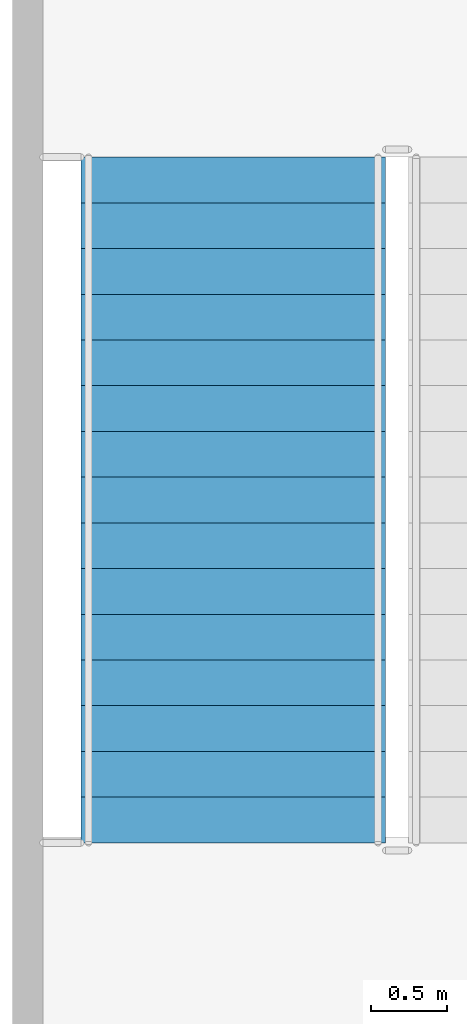
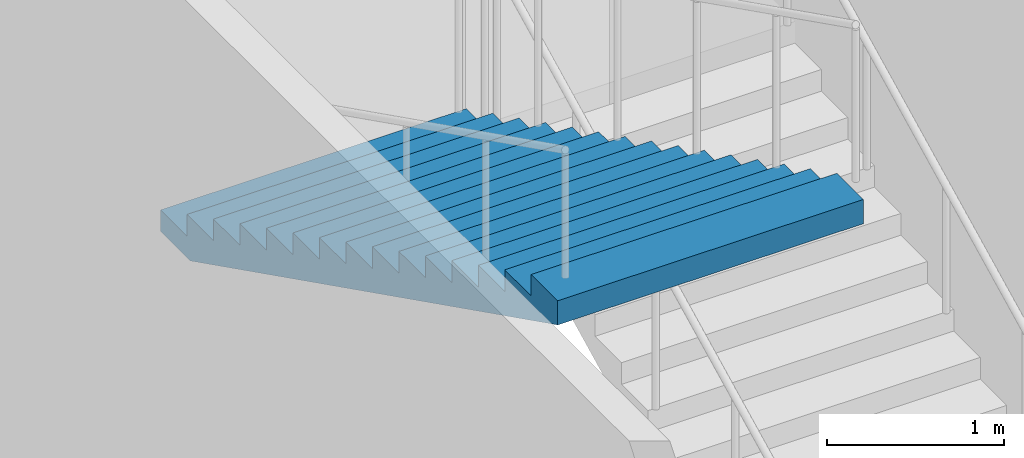
# One storey, part 76 of 100: 1 stair flight, 1 element without a shape of its own.
"""IFC4 building model written with IfcOpenShell, lengths in metres."""

from ifc_helpers import new_model, si_unit, direction, frame, origin, place, context, subcontext, project, spatial, faceted_brep, material, type_object, element, aggregate, save


model = new_model("IFC4")

# Units and contexts
model_context = context("Model", 3, precision=1e-05, world=origin(), true_north=direction((0.0, 1.0)))
body_context = subcontext(model_context, "Body", "Model", "MODEL_VIEW")
ifc_project = project(units=[si_unit("LENGTHUNIT", "METRE"), si_unit("AREAUNIT", "SQUARE_METRE"), si_unit("VOLUMEUNIT", "CUBIC_METRE"), si_unit("PLANEANGLEUNIT", "RADIAN"), si_unit("MASSUNIT", "GRAM", prefix="KILO")], contexts=[model_context])

# Site, building, storey
site_placement = place(None, origin())
site = spatial("IfcSite", under=ifc_project, at=site_placement, CompositionType="ELEMENT")
building_placement = place(site_placement, origin())
building = spatial("IfcBuilding", under=site, at=building_placement, Name="Kiln Court Media Centre", CompositionType="ELEMENT")
storey_placement = place(building_placement, frame((0.0, 0.0, 15.0)))
storey = spatial("IfcBuildingStorey", under=building, at=storey_placement, Name="L03", CompositionType="ELEMENT", Elevation=15.0)

# Stair, stair flight
ifc_material_1 = material(Name="Concrete C40/50", Category="concrete")
stair_type = type_object("IfcStairType", Name="Concrete C40/50 dog-leg stair 2000 wide, 150 riser", PredefinedType="HALF_TURN_STAIR", material=ifc_material_1)
stair_placement = place(storey_placement, origin())
stair = element("IfcStair", 1, at=stair_placement, inside=storey, type_object=stair_type, Name="ST-06 L03", PredefinedType="HALF_TURN_STAIR")
ifc_material_2 = material(Name="Concrete C40/50", Category="concrete")
stair_flight_type = type_object("IfcStairFlightType", Name="Concrete C40/50 stair flight 2000 wide, 150 riser, 300 going", PredefinedType="STRAIGHT", material=ifc_material_2)
stair_flight_placement = place(storey_placement, frame((1.449951171875, 40.89990234375, 2.39990234375), z_axis=(0.0, 0.0, 1.0), x_axis=(0.0, -1.0, 0.0)))
stair_flight = element("IfcStairFlight", 2, at=stair_flight_placement, type_object=stair_flight_type, Name="L03-ST-5004 flight 5009", NumberOfRisers=16, NumberOfTreads=15, PredefinedType="STRAIGHT", RiserHeight=0.15, TreadLength=0.3, context=body_context, shape_type="Brep", body=[
    faceted_brep([(0.335205078125, -1.0, 0.0), (4.5, -1.0, 2.08251953125), (4.5, -1.0, 2.25), (4.199951171875, -1.0, 2.25), (4.199951171875, -1.0, 2.10009765625), (3.89990234375, -1.0, 2.10009765625), (3.89990234375, -1.0, 1.949951171875), (3.60009765625, -1.0, 1.949951171875), (3.60009765625, -1.0, 1.800048828125), (3.300048828125, -1.0, 1.800048828125), (3.300048828125, -1.0, 1.64990234375), (3.0, -1.0, 1.64990234375), (3.0, -1.0, 1.5), (2.699951171875, -1.0, 1.5), (2.699951171875, -1.0, 1.35009765625), (2.39990234375, -1.0, 1.35009765625), (2.39990234375, -1.0, 1.199951171875), (2.10009765625, -1.0, 1.199951171875), (2.10009765625, -1.0, 1.050048828125), (1.800048828125, -1.0, 1.050048828125), (1.800048828125, -1.0, 0.89990234375), (1.5, -1.0, 0.89990234375), (1.5, -1.0, 0.75), (1.199951171875, -1.0, 0.75), (1.199951171875, -1.0, 0.60009765625), (0.89990234375, -1.0, 0.60009765625), (0.89990234375, -1.0, 0.449951171875), (0.60009765625, -1.0, 0.449951171875), (0.60009765625, -1.0, 0.300048828125), (0.300048828125, -1.0, 0.300048828125), (0.300048828125, -1.0, 0.14990234375), (0.0, -1.0, 0.14990234375), (0.0, -1.0, 0.0), (0.0, 1.0, 0.0), (0.0, 1.0, 0.14990234375), (0.300048828125, 1.0, 0.14990234375), (0.300048828125, 1.0, 0.300048828125), (0.60009765625, 1.0, 0.300048828125), (0.60009765625, 1.0, 0.449951171875), (0.89990234375, 1.0, 0.449951171875), (0.89990234375, 1.0, 0.60009765625), (1.199951171875, 1.0, 0.60009765625), (1.199951171875, 1.0, 0.75), (1.5, 1.0, 0.75), (1.5, 1.0, 0.89990234375), (1.800048828125, 1.0, 0.89990234375), (1.800048828125, 1.0, 1.050048828125), (2.10009765625, 1.0, 1.050048828125), (2.10009765625, 1.0, 1.199951171875), (2.39990234375, 1.0, 1.199951171875), (2.39990234375, 1.0, 1.35009765625), (2.699951171875, 1.0, 1.35009765625), (2.699951171875, 1.0, 1.5), (3.0, 1.0, 1.5), (3.0, 1.0, 1.64990234375), (3.300048828125, 1.0, 1.64990234375), (3.300048828125, 1.0, 1.800048828125), (3.60009765625, 1.0, 1.800048828125), (3.60009765625, 1.0, 1.949951171875), (3.89990234375, 1.0, 1.949951171875), (3.89990234375, 1.0, 2.10009765625), (4.199951171875, 1.0, 2.10009765625), (4.199951171875, 1.0, 2.25), (4.5, 1.0, 2.25), (4.5, 1.0, 2.08251953125), (0.335205078125, 1.0, 0.0), (4.5, 0.10009765625, 2.08251953125), (0.335205078125, 0.10009765625, 0.0), (4.5, 0.080078125, 2.08251953125), (0.335205078125, 0.080078125, 0.0), (4.5, 0.06005859375, 2.08251953125), (0.335205078125, 0.06005859375, 0.0), (4.5, 0.0400390625, 2.08251953125), (0.335205078125, 0.0400390625, 0.0), (4.5, 0.02001953125, 2.08251953125), (0.335205078125, 0.02001953125, 0.0), (4.5, 0.0, 2.08251953125), (0.335205078125, 0.0, 0.0), (4.5, -0.02001953125, 2.08251953125), (0.335205078125, -0.02001953125, 0.0), (4.5, -0.0400390625, 2.08251953125), (0.335205078125, -0.0400390625, 0.0), (4.5, -0.06005859375, 2.08251953125), (0.335205078125, -0.06005859375, 0.0), (4.5, -0.080078125, 2.08251953125), (0.335205078125, -0.080078125, 0.0), (4.5, -0.10009765625, 2.08251953125), (0.335205078125, -0.10009765625, 0.0), (4.5, 0.10009765625, 2.25), (4.5, 0.080078125, 2.25), (4.5, 0.06005859375, 2.25), (4.5, 0.0400390625, 2.25), (4.5, 0.02001953125, 2.25), (4.5, 0.0, 2.25), (4.5, -0.02001953125, 2.25), (4.5, -0.0400390625, 2.25), (4.5, -0.06005859375, 2.25), (4.5, -0.080078125, 2.25), (4.5, -0.10009765625, 2.25), (4.199951171875, 0.10009765625, 2.25), (4.199951171875, 0.080078125, 2.25), (4.199951171875, 0.06005859375, 2.25), (4.199951171875, 0.0400390625, 2.25), (4.199951171875, 0.02001953125, 2.25), (4.199951171875, 0.0, 2.25), (4.199951171875, -0.02001953125, 2.25), (4.199951171875, -0.0400390625, 2.25), (4.199951171875, -0.06005859375, 2.25), (4.199951171875, -0.080078125, 2.25), (4.199951171875, -0.10009765625, 2.25), (4.199951171875, 0.10009765625, 2.10009765625), (4.199951171875, 0.080078125, 2.10009765625), (4.199951171875, 0.06005859375, 2.10009765625), (4.199951171875, 0.0400390625, 2.10009765625), (4.199951171875, 0.02001953125, 2.10009765625), (4.199951171875, 0.0, 2.10009765625), (4.199951171875, -0.02001953125, 2.10009765625), (4.199951171875, -0.0400390625, 2.10009765625), (4.199951171875, -0.06005859375, 2.10009765625), (4.199951171875, -0.080078125, 2.10009765625), (4.199951171875, -0.10009765625, 2.10009765625), (3.89990234375, 0.10009765625, 2.10009765625), (3.89990234375, 0.080078125, 2.10009765625), (3.89990234375, 0.06005859375, 2.10009765625), (3.89990234375, 0.0400390625, 2.10009765625), (3.89990234375, 0.02001953125, 2.10009765625), (3.89990234375, 0.0, 2.10009765625), (3.89990234375, -0.02001953125, 2.10009765625), (3.89990234375, -0.0400390625, 2.10009765625), (3.89990234375, -0.06005859375, 2.10009765625), (3.89990234375, -0.080078125, 2.10009765625), (3.89990234375, -0.10009765625, 2.10009765625), (3.89990234375, 0.10009765625, 1.949951171875), (3.89990234375, 0.080078125, 1.949951171875), (3.89990234375, 0.06005859375, 1.949951171875), (3.89990234375, 0.0400390625, 1.949951171875), (3.89990234375, 0.02001953125, 1.949951171875), (3.89990234375, 0.0, 1.949951171875), (3.89990234375, -0.02001953125, 1.949951171875), (3.89990234375, -0.0400390625, 1.949951171875), (3.89990234375, -0.06005859375, 1.949951171875), (3.89990234375, -0.080078125, 1.949951171875), (3.89990234375, -0.10009765625, 1.949951171875), (3.60009765625, 0.10009765625, 1.949951171875), (3.60009765625, 0.080078125, 1.949951171875), (3.60009765625, 0.06005859375, 1.949951171875), (3.60009765625, 0.0400390625, 1.949951171875), (3.60009765625, 0.02001953125, 1.949951171875), (3.60009765625, 0.0, 1.949951171875), (3.60009765625, -0.02001953125, 1.949951171875), (3.60009765625, -0.0400390625, 1.949951171875), (3.60009765625, -0.06005859375, 1.949951171875), (3.60009765625, -0.080078125, 1.949951171875), (3.60009765625, -0.10009765625, 1.949951171875), (3.60009765625, 0.10009765625, 1.800048828125), (3.60009765625, 0.080078125, 1.800048828125), (3.60009765625, 0.06005859375, 1.800048828125), (3.60009765625, 0.0400390625, 1.800048828125), (3.60009765625, 0.02001953125, 1.800048828125), (3.60009765625, 0.0, 1.800048828125), (3.60009765625, -0.02001953125, 1.800048828125), (3.60009765625, -0.0400390625, 1.800048828125), (3.60009765625, -0.06005859375, 1.800048828125), (3.60009765625, -0.080078125, 1.800048828125), (3.60009765625, -0.10009765625, 1.800048828125), (3.300048828125, 0.10009765625, 1.800048828125), (3.300048828125, 0.080078125, 1.800048828125), (3.300048828125, 0.06005859375, 1.800048828125), (3.300048828125, 0.0400390625, 1.800048828125), (3.300048828125, 0.02001953125, 1.800048828125), (3.300048828125, 0.0, 1.800048828125), (3.300048828125, -0.02001953125, 1.800048828125), (3.300048828125, -0.0400390625, 1.800048828125), (3.300048828125, -0.06005859375, 1.800048828125), (3.300048828125, -0.080078125, 1.800048828125), (3.300048828125, -0.10009765625, 1.800048828125), (3.300048828125, 0.10009765625, 1.64990234375), (3.300048828125, 0.080078125, 1.64990234375), (3.300048828125, 0.06005859375, 1.64990234375), (3.300048828125, 0.0400390625, 1.64990234375), (3.300048828125, 0.02001953125, 1.64990234375), (3.300048828125, 0.0, 1.64990234375), (3.300048828125, -0.02001953125, 1.64990234375), (3.300048828125, -0.0400390625, 1.64990234375), (3.300048828125, -0.06005859375, 1.64990234375), (3.300048828125, -0.080078125, 1.64990234375), (3.300048828125, -0.10009765625, 1.64990234375), (3.0, 0.10009765625, 1.64990234375), (3.0, 0.080078125, 1.64990234375), (3.0, 0.06005859375, 1.64990234375), (3.0, 0.0400390625, 1.64990234375), (3.0, 0.02001953125, 1.64990234375), (3.0, 0.0, 1.64990234375), (3.0, -0.02001953125, 1.64990234375), (3.0, -0.0400390625, 1.64990234375), (3.0, -0.06005859375, 1.64990234375), (3.0, -0.080078125, 1.64990234375), (3.0, -0.10009765625, 1.64990234375), (3.0, 0.10009765625, 1.5), (3.0, 0.080078125, 1.5), (3.0, 0.06005859375, 1.5), (3.0, 0.0400390625, 1.5), (3.0, 0.02001953125, 1.5), (3.0, 0.0, 1.5), (3.0, -0.02001953125, 1.5), (3.0, -0.0400390625, 1.5), (3.0, -0.06005859375, 1.5), (3.0, -0.080078125, 1.5), (3.0, -0.10009765625, 1.5), (2.699951171875, 0.10009765625, 1.5), (2.699951171875, 0.080078125, 1.5), (2.699951171875, 0.06005859375, 1.5), (2.699951171875, 0.0400390625, 1.5), (2.699951171875, 0.02001953125, 1.5), (2.699951171875, 0.0, 1.5), (2.699951171875, -0.02001953125, 1.5), (2.699951171875, -0.0400390625, 1.5), (2.699951171875, -0.06005859375, 1.5), (2.699951171875, -0.080078125, 1.5), (2.699951171875, -0.10009765625, 1.5), (2.699951171875, 0.10009765625, 1.35009765625), (2.699951171875, 0.080078125, 1.35009765625), (2.699951171875, 0.06005859375, 1.35009765625), (2.699951171875, 0.0400390625, 1.35009765625), (2.699951171875, 0.02001953125, 1.35009765625), (2.699951171875, 0.0, 1.35009765625), (2.699951171875, -0.02001953125, 1.35009765625), (2.699951171875, -0.0400390625, 1.35009765625), (2.699951171875, -0.06005859375, 1.35009765625), (2.699951171875, -0.080078125, 1.35009765625), (2.699951171875, -0.10009765625, 1.35009765625), (2.39990234375, 0.10009765625, 1.35009765625), (2.39990234375, 0.080078125, 1.35009765625), (2.39990234375, 0.06005859375, 1.35009765625), (2.39990234375, 0.0400390625, 1.35009765625), (2.39990234375, 0.02001953125, 1.35009765625), (2.39990234375, 0.0, 1.35009765625), (2.39990234375, -0.02001953125, 1.35009765625), (2.39990234375, -0.0400390625, 1.35009765625), (2.39990234375, -0.06005859375, 1.35009765625), (2.39990234375, -0.080078125, 1.35009765625), (2.39990234375, -0.10009765625, 1.35009765625), (2.39990234375, 0.10009765625, 1.199951171875), (2.39990234375, 0.080078125, 1.199951171875), (2.39990234375, 0.06005859375, 1.199951171875), (2.39990234375, 0.0400390625, 1.199951171875), (2.39990234375, 0.02001953125, 1.199951171875), (2.39990234375, 0.0, 1.199951171875), (2.39990234375, -0.02001953125, 1.199951171875), (2.39990234375, -0.0400390625, 1.199951171875), (2.39990234375, -0.06005859375, 1.199951171875), (2.39990234375, -0.080078125, 1.199951171875), (2.39990234375, -0.10009765625, 1.199951171875), (2.10009765625, 0.10009765625, 1.199951171875), (2.10009765625, 0.080078125, 1.199951171875), (2.10009765625, 0.06005859375, 1.199951171875), (2.10009765625, 0.0400390625, 1.199951171875), (2.10009765625, 0.02001953125, 1.199951171875), (2.10009765625, 0.0, 1.199951171875), (2.10009765625, -0.02001953125, 1.199951171875), (2.10009765625, -0.0400390625, 1.199951171875), (2.10009765625, -0.06005859375, 1.199951171875), (2.10009765625, -0.080078125, 1.199951171875), (2.10009765625, -0.10009765625, 1.199951171875), (2.10009765625, 0.10009765625, 1.050048828125), (2.10009765625, 0.080078125, 1.050048828125), (2.10009765625, 0.06005859375, 1.050048828125), (2.10009765625, 0.0400390625, 1.050048828125), (2.10009765625, 0.02001953125, 1.050048828125), (2.10009765625, 0.0, 1.050048828125), (2.10009765625, -0.02001953125, 1.050048828125), (2.10009765625, -0.0400390625, 1.050048828125), (2.10009765625, -0.06005859375, 1.050048828125), (2.10009765625, -0.080078125, 1.050048828125), (2.10009765625, -0.10009765625, 1.050048828125), (1.800048828125, 0.10009765625, 1.050048828125), (1.800048828125, 0.080078125, 1.050048828125), (1.800048828125, 0.06005859375, 1.050048828125), (1.800048828125, 0.0400390625, 1.050048828125), (1.800048828125, 0.02001953125, 1.050048828125), (1.800048828125, 0.0, 1.050048828125), (1.800048828125, -0.02001953125, 1.050048828125), (1.800048828125, -0.0400390625, 1.050048828125), (1.800048828125, -0.06005859375, 1.050048828125), (1.800048828125, -0.080078125, 1.050048828125), (1.800048828125, -0.10009765625, 1.050048828125), (1.800048828125, 0.10009765625, 0.89990234375), (1.800048828125, 0.080078125, 0.89990234375), (1.800048828125, 0.06005859375, 0.89990234375), (1.800048828125, 0.0400390625, 0.89990234375), (1.800048828125, 0.02001953125, 0.89990234375), (1.800048828125, 0.0, 0.89990234375), (1.800048828125, -0.02001953125, 0.89990234375), (1.800048828125, -0.0400390625, 0.89990234375), (1.800048828125, -0.06005859375, 0.89990234375), (1.800048828125, -0.080078125, 0.89990234375), (1.800048828125, -0.10009765625, 0.89990234375), (1.5, 0.10009765625, 0.89990234375), (1.5, 0.080078125, 0.89990234375), (1.5, 0.06005859375, 0.89990234375), (1.5, 0.0400390625, 0.89990234375), (1.5, 0.02001953125, 0.89990234375), (1.5, 0.0, 0.89990234375), (1.5, -0.02001953125, 0.89990234375), (1.5, -0.0400390625, 0.89990234375), (1.5, -0.06005859375, 0.89990234375), (1.5, -0.080078125, 0.89990234375), (1.5, -0.10009765625, 0.89990234375), (1.5, 0.10009765625, 0.75), (1.5, 0.080078125, 0.75), (1.5, 0.06005859375, 0.75), (1.5, 0.0400390625, 0.75), (1.5, 0.02001953125, 0.75), (1.5, 0.0, 0.75), (1.5, -0.02001953125, 0.75), (1.5, -0.0400390625, 0.75), (1.5, -0.06005859375, 0.75), (1.5, -0.080078125, 0.75), (1.5, -0.10009765625, 0.75), (1.199951171875, 0.10009765625, 0.75), (1.199951171875, 0.080078125, 0.75), (1.199951171875, 0.06005859375, 0.75), (1.199951171875, 0.0400390625, 0.75), (1.199951171875, 0.02001953125, 0.75), (1.199951171875, 0.0, 0.75), (1.199951171875, -0.02001953125, 0.75), (1.199951171875, -0.0400390625, 0.75), (1.199951171875, -0.06005859375, 0.75), (1.199951171875, -0.080078125, 0.75), (1.199951171875, -0.10009765625, 0.75), (1.199951171875, 0.10009765625, 0.60009765625), (1.199951171875, 0.080078125, 0.60009765625), (1.199951171875, 0.06005859375, 0.60009765625), (1.199951171875, 0.0400390625, 0.60009765625), (1.199951171875, 0.02001953125, 0.60009765625), (1.199951171875, 0.0, 0.60009765625), (1.199951171875, -0.02001953125, 0.60009765625), (1.199951171875, -0.0400390625, 0.60009765625), (1.199951171875, -0.06005859375, 0.60009765625), (1.199951171875, -0.080078125, 0.60009765625), (1.199951171875, -0.10009765625, 0.60009765625), (0.89990234375, 0.10009765625, 0.60009765625), (0.89990234375, 0.080078125, 0.60009765625), (0.89990234375, 0.06005859375, 0.60009765625), (0.89990234375, 0.0400390625, 0.60009765625), (0.89990234375, 0.02001953125, 0.60009765625), (0.89990234375, 0.0, 0.60009765625), (0.89990234375, -0.02001953125, 0.60009765625), (0.89990234375, -0.0400390625, 0.60009765625), (0.89990234375, -0.06005859375, 0.60009765625), (0.89990234375, -0.080078125, 0.60009765625), (0.89990234375, -0.10009765625, 0.60009765625), (0.89990234375, 0.10009765625, 0.449951171875), (0.89990234375, 0.080078125, 0.449951171875), (0.89990234375, 0.06005859375, 0.449951171875), (0.89990234375, 0.0400390625, 0.449951171875), (0.89990234375, 0.02001953125, 0.449951171875), (0.89990234375, 0.0, 0.449951171875), (0.89990234375, -0.02001953125, 0.449951171875), (0.89990234375, -0.0400390625, 0.449951171875), (0.89990234375, -0.06005859375, 0.449951171875), (0.89990234375, -0.080078125, 0.449951171875), (0.89990234375, -0.10009765625, 0.449951171875), (0.60009765625, 0.10009765625, 0.449951171875), (0.60009765625, 0.080078125, 0.449951171875), (0.60009765625, 0.06005859375, 0.449951171875), (0.60009765625, 0.0400390625, 0.449951171875), (0.60009765625, 0.02001953125, 0.449951171875), (0.60009765625, 0.0, 0.449951171875), (0.60009765625, -0.02001953125, 0.449951171875), (0.60009765625, -0.0400390625, 0.449951171875), (0.60009765625, -0.06005859375, 0.449951171875), (0.60009765625, -0.080078125, 0.449951171875), (0.60009765625, -0.10009765625, 0.449951171875), (0.60009765625, 0.10009765625, 0.300048828125), (0.60009765625, 0.080078125, 0.300048828125), (0.60009765625, 0.06005859375, 0.300048828125), (0.60009765625, 0.0400390625, 0.300048828125), (0.60009765625, 0.02001953125, 0.300048828125), (0.60009765625, 0.0, 0.300048828125), (0.60009765625, -0.02001953125, 0.300048828125), (0.60009765625, -0.0400390625, 0.300048828125), (0.60009765625, -0.06005859375, 0.300048828125), (0.60009765625, -0.080078125, 0.300048828125), (0.60009765625, -0.10009765625, 0.300048828125), (0.300048828125, 0.10009765625, 0.300048828125), (0.300048828125, 0.080078125, 0.300048828125), (0.300048828125, 0.06005859375, 0.300048828125), (0.300048828125, 0.0400390625, 0.300048828125), (0.300048828125, 0.02001953125, 0.300048828125), (0.300048828125, 0.0, 0.300048828125), (0.300048828125, -0.02001953125, 0.300048828125), (0.300048828125, -0.0400390625, 0.300048828125), (0.300048828125, -0.06005859375, 0.300048828125), (0.300048828125, -0.080078125, 0.300048828125), (0.300048828125, -0.10009765625, 0.300048828125), (0.300048828125, 0.10009765625, 0.14990234375), (0.300048828125, 0.080078125, 0.14990234375), (0.300048828125, 0.06005859375, 0.14990234375), (0.300048828125, 0.0400390625, 0.14990234375), (0.300048828125, 0.02001953125, 0.14990234375), (0.300048828125, 0.0, 0.14990234375), (0.300048828125, -0.02001953125, 0.14990234375), (0.300048828125, -0.0400390625, 0.14990234375), (0.300048828125, -0.06005859375, 0.14990234375), (0.300048828125, -0.080078125, 0.14990234375), (0.300048828125, -0.10009765625, 0.14990234375), (0.0, 0.10009765625, 0.14990234375), (0.0, 0.080078125, 0.14990234375), (0.0, 0.06005859375, 0.14990234375), (0.0, 0.0400390625, 0.14990234375), (0.0, 0.02001953125, 0.14990234375), (0.0, 0.0, 0.14990234375), (0.0, -0.02001953125, 0.14990234375), (0.0, -0.0400390625, 0.14990234375), (0.0, -0.06005859375, 0.14990234375), (0.0, -0.080078125, 0.14990234375), (0.0, -0.10009765625, 0.14990234375), (0.0, 0.10009765625, 0.0), (0.0, 0.080078125, 0.0), (0.0, 0.06005859375, 0.0), (0.0, 0.0400390625, 0.0), (0.0, 0.02001953125, 0.0), (0.0, 0.0, 0.0), (0.0, -0.02001953125, 0.0), (0.0, -0.0400390625, 0.0), (0.0, -0.06005859375, 0.0), (0.0, -0.080078125, 0.0), (0.0, -0.10009765625, 0.0)], [[[0, 1, 2, 3, 4, 5, 6, 7, 8, 9, 10, 11, 12, 13, 14, 15, 16, 17, 18, 19, 20, 21, 22, 23, 24, 25, 26, 27, 28, 29, 30, 31, 32]], [[33, 34, 35, 36, 37, 38, 39, 40, 41, 42, 43, 44, 45, 46, 47, 48, 49, 50, 51, 52, 53, 54, 55, 56, 57, 58, 59, 60, 61, 62, 63, 64, 65]], [[65, 64, 66, 67]], [[67, 66, 68, 69]], [[69, 68, 70, 71]], [[71, 70, 72, 73]], [[73, 72, 74, 75]], [[75, 74, 76, 77]], [[77, 76, 78, 79]], [[79, 78, 80, 81]], [[81, 80, 82, 83]], [[83, 82, 84, 85]], [[85, 84, 86, 87]], [[87, 86, 1, 0]], [[64, 63, 88, 66]], [[66, 88, 89, 68]], [[68, 89, 90, 70]], [[70, 90, 91, 72]], [[72, 91, 92, 74]], [[74, 92, 93, 76]], [[76, 93, 94, 78]], [[78, 94, 95, 80]], [[80, 95, 96, 82]], [[82, 96, 97, 84]], [[84, 97, 98, 86]], [[86, 98, 2, 1]], [[63, 62, 99, 88]], [[88, 99, 100, 89]], [[89, 100, 101, 90]], [[90, 101, 102, 91]], [[91, 102, 103, 92]], [[92, 103, 104, 93]], [[93, 104, 105, 94]], [[94, 105, 106, 95]], [[95, 106, 107, 96]], [[96, 107, 108, 97]], [[97, 108, 109, 98]], [[98, 109, 3, 2]], [[62, 61, 110, 99]], [[99, 110, 111, 100]], [[100, 111, 112, 101]], [[101, 112, 113, 102]], [[102, 113, 114, 103]], [[103, 114, 115, 104]], [[104, 115, 116, 105]], [[105, 116, 117, 106]], [[106, 117, 118, 107]], [[107, 118, 119, 108]], [[108, 119, 120, 109]], [[109, 120, 4, 3]], [[61, 60, 121, 110]], [[110, 121, 122, 111]], [[111, 122, 123, 112]], [[112, 123, 124, 113]], [[113, 124, 125, 114]], [[114, 125, 126, 115]], [[115, 126, 127, 116]], [[116, 127, 128, 117]], [[117, 128, 129, 118]], [[118, 129, 130, 119]], [[119, 130, 131, 120]], [[120, 131, 5, 4]], [[60, 59, 132, 121]], [[121, 132, 133, 122]], [[122, 133, 134, 123]], [[123, 134, 135, 124]], [[124, 135, 136, 125]], [[125, 136, 137, 126]], [[126, 137, 138, 127]], [[127, 138, 139, 128]], [[128, 139, 140, 129]], [[129, 140, 141, 130]], [[130, 141, 142, 131]], [[131, 142, 6, 5]], [[59, 58, 143, 132]], [[132, 143, 144, 133]], [[133, 144, 145, 134]], [[134, 145, 146, 135]], [[135, 146, 147, 136]], [[136, 147, 148, 137]], [[137, 148, 149, 138]], [[138, 149, 150, 139]], [[139, 150, 151, 140]], [[140, 151, 152, 141]], [[141, 152, 153, 142]], [[142, 153, 7, 6]], [[58, 57, 154, 143]], [[143, 154, 155, 144]], [[144, 155, 156, 145]], [[145, 156, 157, 146]], [[146, 157, 158, 147]], [[147, 158, 159, 148]], [[148, 159, 160, 149]], [[149, 160, 161, 150]], [[150, 161, 162, 151]], [[151, 162, 163, 152]], [[152, 163, 164, 153]], [[153, 164, 8, 7]], [[57, 56, 165, 154]], [[154, 165, 166, 155]], [[155, 166, 167, 156]], [[156, 167, 168, 157]], [[157, 168, 169, 158]], [[158, 169, 170, 159]], [[159, 170, 171, 160]], [[160, 171, 172, 161]], [[161, 172, 173, 162]], [[162, 173, 174, 163]], [[163, 174, 175, 164]], [[164, 175, 9, 8]], [[56, 55, 176, 165]], [[165, 176, 177, 166]], [[166, 177, 178, 167]], [[167, 178, 179, 168]], [[168, 179, 180, 169]], [[169, 180, 181, 170]], [[170, 181, 182, 171]], [[171, 182, 183, 172]], [[172, 183, 184, 173]], [[173, 184, 185, 174]], [[174, 185, 186, 175]], [[175, 186, 10, 9]], [[55, 54, 187, 176]], [[176, 187, 188, 177]], [[177, 188, 189, 178]], [[178, 189, 190, 179]], [[179, 190, 191, 180]], [[180, 191, 192, 181]], [[181, 192, 193, 182]], [[182, 193, 194, 183]], [[183, 194, 195, 184]], [[184, 195, 196, 185]], [[185, 196, 197, 186]], [[186, 197, 11, 10]], [[54, 53, 198, 187]], [[187, 198, 199, 188]], [[188, 199, 200, 189]], [[189, 200, 201, 190]], [[190, 201, 202, 191]], [[191, 202, 203, 192]], [[192, 203, 204, 193]], [[193, 204, 205, 194]], [[194, 205, 206, 195]], [[195, 206, 207, 196]], [[196, 207, 208, 197]], [[197, 208, 12, 11]], [[53, 52, 209, 198]], [[198, 209, 210, 199]], [[199, 210, 211, 200]], [[200, 211, 212, 201]], [[201, 212, 213, 202]], [[202, 213, 214, 203]], [[203, 214, 215, 204]], [[204, 215, 216, 205]], [[205, 216, 217, 206]], [[206, 217, 218, 207]], [[207, 218, 219, 208]], [[208, 219, 13, 12]], [[52, 51, 220, 209]], [[209, 220, 221, 210]], [[210, 221, 222, 211]], [[211, 222, 223, 212]], [[212, 223, 224, 213]], [[213, 224, 225, 214]], [[214, 225, 226, 215]], [[215, 226, 227, 216]], [[216, 227, 228, 217]], [[217, 228, 229, 218]], [[218, 229, 230, 219]], [[219, 230, 14, 13]], [[51, 50, 231, 220]], [[220, 231, 232, 221]], [[221, 232, 233, 222]], [[222, 233, 234, 223]], [[223, 234, 235, 224]], [[224, 235, 236, 225]], [[225, 236, 237, 226]], [[226, 237, 238, 227]], [[227, 238, 239, 228]], [[228, 239, 240, 229]], [[229, 240, 241, 230]], [[230, 241, 15, 14]], [[50, 49, 242, 231]], [[231, 242, 243, 232]], [[232, 243, 244, 233]], [[233, 244, 245, 234]], [[234, 245, 246, 235]], [[235, 246, 247, 236]], [[236, 247, 248, 237]], [[237, 248, 249, 238]], [[238, 249, 250, 239]], [[239, 250, 251, 240]], [[240, 251, 252, 241]], [[241, 252, 16, 15]], [[49, 48, 253, 242]], [[242, 253, 254, 243]], [[243, 254, 255, 244]], [[244, 255, 256, 245]], [[245, 256, 257, 246]], [[246, 257, 258, 247]], [[247, 258, 259, 248]], [[248, 259, 260, 249]], [[249, 260, 261, 250]], [[250, 261, 262, 251]], [[251, 262, 263, 252]], [[252, 263, 17, 16]], [[48, 47, 264, 253]], [[253, 264, 265, 254]], [[254, 265, 266, 255]], [[255, 266, 267, 256]], [[256, 267, 268, 257]], [[257, 268, 269, 258]], [[258, 269, 270, 259]], [[259, 270, 271, 260]], [[260, 271, 272, 261]], [[261, 272, 273, 262]], [[262, 273, 274, 263]], [[263, 274, 18, 17]], [[47, 46, 275, 264]], [[264, 275, 276, 265]], [[265, 276, 277, 266]], [[266, 277, 278, 267]], [[267, 278, 279, 268]], [[268, 279, 280, 269]], [[269, 280, 281, 270]], [[270, 281, 282, 271]], [[271, 282, 283, 272]], [[272, 283, 284, 273]], [[273, 284, 285, 274]], [[274, 285, 19, 18]], [[46, 45, 286, 275]], [[275, 286, 287, 276]], [[276, 287, 288, 277]], [[277, 288, 289, 278]], [[278, 289, 290, 279]], [[279, 290, 291, 280]], [[280, 291, 292, 281]], [[281, 292, 293, 282]], [[282, 293, 294, 283]], [[283, 294, 295, 284]], [[284, 295, 296, 285]], [[285, 296, 20, 19]], [[45, 44, 297, 286]], [[286, 297, 298, 287]], [[287, 298, 299, 288]], [[288, 299, 300, 289]], [[289, 300, 301, 290]], [[290, 301, 302, 291]], [[291, 302, 303, 292]], [[292, 303, 304, 293]], [[293, 304, 305, 294]], [[294, 305, 306, 295]], [[295, 306, 307, 296]], [[296, 307, 21, 20]], [[44, 43, 308, 297]], [[297, 308, 309, 298]], [[298, 309, 310, 299]], [[299, 310, 311, 300]], [[300, 311, 312, 301]], [[301, 312, 313, 302]], [[302, 313, 314, 303]], [[303, 314, 315, 304]], [[304, 315, 316, 305]], [[305, 316, 317, 306]], [[306, 317, 318, 307]], [[307, 318, 22, 21]], [[43, 42, 319, 308]], [[308, 319, 320, 309]], [[309, 320, 321, 310]], [[310, 321, 322, 311]], [[311, 322, 323, 312]], [[312, 323, 324, 313]], [[313, 324, 325, 314]], [[314, 325, 326, 315]], [[315, 326, 327, 316]], [[316, 327, 328, 317]], [[317, 328, 329, 318]], [[318, 329, 23, 22]], [[42, 41, 330, 319]], [[319, 330, 331, 320]], [[320, 331, 332, 321]], [[321, 332, 333, 322]], [[322, 333, 334, 323]], [[323, 334, 335, 324]], [[324, 335, 336, 325]], [[325, 336, 337, 326]], [[326, 337, 338, 327]], [[327, 338, 339, 328]], [[328, 339, 340, 329]], [[329, 340, 24, 23]], [[41, 40, 341, 330]], [[330, 341, 342, 331]], [[331, 342, 343, 332]], [[332, 343, 344, 333]], [[333, 344, 345, 334]], [[334, 345, 346, 335]], [[335, 346, 347, 336]], [[336, 347, 348, 337]], [[337, 348, 349, 338]], [[338, 349, 350, 339]], [[339, 350, 351, 340]], [[340, 351, 25, 24]], [[40, 39, 352, 341]], [[341, 352, 353, 342]], [[342, 353, 354, 343]], [[343, 354, 355, 344]], [[344, 355, 356, 345]], [[345, 356, 357, 346]], [[346, 357, 358, 347]], [[347, 358, 359, 348]], [[348, 359, 360, 349]], [[349, 360, 361, 350]], [[350, 361, 362, 351]], [[351, 362, 26, 25]], [[39, 38, 363, 352]], [[352, 363, 364, 353]], [[353, 364, 365, 354]], [[354, 365, 366, 355]], [[355, 366, 367, 356]], [[356, 367, 368, 357]], [[357, 368, 369, 358]], [[358, 369, 370, 359]], [[359, 370, 371, 360]], [[360, 371, 372, 361]], [[361, 372, 373, 362]], [[362, 373, 27, 26]], [[38, 37, 374, 363]], [[363, 374, 375, 364]], [[364, 375, 376, 365]], [[365, 376, 377, 366]], [[366, 377, 378, 367]], [[367, 378, 379, 368]], [[368, 379, 380, 369]], [[369, 380, 381, 370]], [[370, 381, 382, 371]], [[371, 382, 383, 372]], [[372, 383, 384, 373]], [[373, 384, 28, 27]], [[37, 36, 385, 374]], [[374, 385, 386, 375]], [[375, 386, 387, 376]], [[376, 387, 388, 377]], [[377, 388, 389, 378]], [[378, 389, 390, 379]], [[379, 390, 391, 380]], [[380, 391, 392, 381]], [[381, 392, 393, 382]], [[382, 393, 394, 383]], [[383, 394, 395, 384]], [[384, 395, 29, 28]], [[36, 35, 396, 385]], [[385, 396, 397, 386]], [[386, 397, 398, 387]], [[387, 398, 399, 388]], [[388, 399, 400, 389]], [[389, 400, 401, 390]], [[390, 401, 402, 391]], [[391, 402, 403, 392]], [[392, 403, 404, 393]], [[393, 404, 405, 394]], [[394, 405, 406, 395]], [[395, 406, 30, 29]], [[35, 34, 407, 396]], [[396, 407, 408, 397]], [[397, 408, 409, 398]], [[398, 409, 410, 399]], [[399, 410, 411, 400]], [[400, 411, 412, 401]], [[401, 412, 413, 402]], [[402, 413, 414, 403]], [[403, 414, 415, 404]], [[404, 415, 416, 405]], [[405, 416, 417, 406]], [[406, 417, 31, 30]], [[34, 33, 418, 407]], [[407, 418, 419, 408]], [[408, 419, 420, 409]], [[409, 420, 421, 410]], [[410, 421, 422, 411]], [[411, 422, 423, 412]], [[412, 423, 424, 413]], [[413, 424, 425, 414]], [[414, 425, 426, 415]], [[415, 426, 427, 416]], [[416, 427, 428, 417]], [[417, 428, 32, 31]], [[33, 65, 67, 418]], [[418, 67, 69, 419]], [[419, 69, 71, 420]], [[420, 71, 73, 421]], [[421, 73, 75, 422]], [[422, 75, 77, 423]], [[423, 77, 79, 424]], [[424, 79, 81, 425]], [[425, 81, 83, 426]], [[426, 83, 85, 427]], [[427, 85, 87, 428]], [[428, 87, 0, 32]]]),
])
aggregate(stair, [stair_flight])

save(model, "model.ifc")
